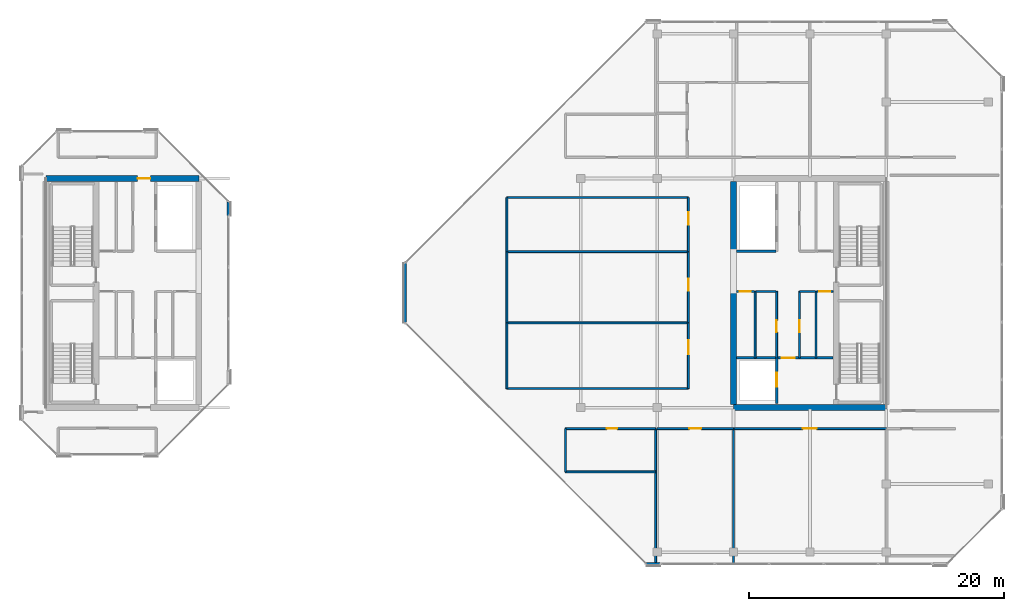
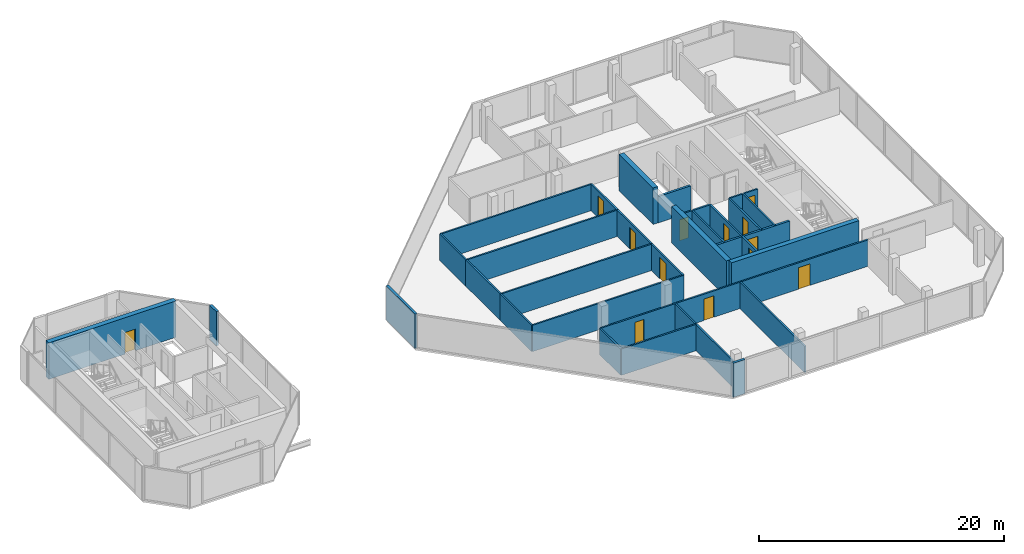
# One storey, part 24 of 30: 35 walls, 13 doors, 13 openings.
"""IFC4 building model written with IfcOpenShell, lengths in metres."""

from ifc_helpers import new_model, si_unit, direction, frame, frame_2d, origin, place, context, subcontext, project, spatial, rectangle, extrude, material, layer, layer_set, type_object, element, fill, save


model = new_model("IFC4")

# Units and contexts
model_context = context("Model", 3, precision=1e-05, world=origin(), true_north=direction((0.0, 1.0)))
body_context = subcontext(model_context, "Body", "Model", "MODEL_VIEW")
ifc_project = project(units=[si_unit("LENGTHUNIT", "METRE"), si_unit("AREAUNIT", "SQUARE_METRE"), si_unit("VOLUMEUNIT", "CUBIC_METRE"), si_unit("PLANEANGLEUNIT", "RADIAN"), si_unit("MASSUNIT", "GRAM", prefix="KILO")], contexts=[model_context])

# Site, building, storey
site_placement = place(None, origin())
site = spatial("IfcSite", under=ifc_project, at=site_placement, CompositionType="ELEMENT")
building_placement = place(site_placement, origin())
building = spatial("IfcBuilding", under=site, at=building_placement, Name="Tanjung Sevakor Pilgrim Tower", CompositionType="ELEMENT")
storey_placement = place(building_placement, frame((0.0, 0.0, 253.43994140625)))
storey = spatial("IfcBuildingStorey", under=building, at=storey_placement, Name="L71", CompositionType="ELEMENT", Elevation=253.43994140625)

# Wall, opening, door
ifc_material_1 = material(Name="Concrete C60/75", Category="concrete")
ifc_layer_1 = layer(ifc_material_1, 0.449951171875)
ifc_layer_set_1 = layer_set([ifc_layer_1], Name="WALL-CW-450")
wall_type_1 = type_object("IfcWallType", Name="WALL-CW-450", PredefinedType="SHEAR", material=ifc_layer_set_1)
wall_1_placement = place(storey_placement, frame((36.0, 42.60009765625, 0.0), z_axis=(0.0, 0.0, 1.0), x_axis=(-1.0, 0.0, 0.0)))
wall_1 = element("IfcWall", 1, at=wall_1_placement, inside=storey, type_object=wall_type_1, Name="L71 W Core North Shear Wall", PredefinedType="SHEAR", context=body_context, shape_type="SweptSolid", body=[
    extrude(rectangle(XDim=12.0, YDim=0.449951171875, at=frame_2d((6.0, 0.0))), origin(), (0.0, 0.0, 1.0), 3.630126953125),
])
opening_1_placement = place(wall_1_placement, frame((3.800048828125, 0.0, 0.0)))
opening_1 = element("IfcOpeningElement", 2, at=opening_1_placement, cuts=wall_1, Name="Opening ID-FD1", PredefinedType="OPENING", context=body_context, shape_type="SweptSolid", body=[
    extrude(rectangle(XDim=1.0, YDim=2.14990234375, at=frame_2d((0.5, 1.074951171875))), frame((0.0, 0.23486328125, 0.0), z_axis=(0.0, -1.0, 0.0), x_axis=(1.0, 0.0, 0.0)), (0.0, 0.0, 1.0), 0.469970703125),
])
ifc_material_2 = material(Name="Fire-Rated Steel S355J2", Category="steel")
door_type_1 = type_object("IfcDoorType", Name="DT-FIRE-1000", OperationType="NOTDEFINED", PredefinedType="DOOR", material=ifc_material_2)
door_1_placement = place(opening_1_placement, origin())
door_1 = element("IfcDoor", 3, at=door_1_placement, inside=storey, type_object=door_type_1, Name="L71 West Core North Vestibule Fire Door", OperationType="SINGLE_SWING_RIGHT", OverallHeight=2.14990234375, OverallWidth=1.0, PredefinedType="DOOR", context=body_context, shape_type="SweptSolid", body=[
    extrude(rectangle(XDim=1.0, YDim=2.14990234375, at=frame_2d((0.5, 1.074951171875))), frame((0.0, 0.02490234375, 0.0), z_axis=(0.0, -1.0, 0.0), x_axis=(1.0, 0.0, 0.0)), (0.0, 0.0, 1.0), 0.050048828125),
])
fill(opening_1, door_1)

# Walls
wall_2_placement = place(storey_placement, frame((78.0, 24.60009765625, 0.0), z_axis=(0.0, 0.0, 1.0), x_axis=(1.0, 0.0, 0.0)))
element("IfcWall", 4, at=wall_2_placement, inside=storey, type_object=wall_type_1, Name="L71 E Core South Shear Wall", PredefinedType="SHEAR", context=body_context, shape_type="SweptSolid", body=[
    extrude(rectangle(XDim=12.0, YDim=0.449951171875, at=frame_2d((6.0, 0.0))), origin(), (0.0, 0.0, 1.0), 3.630126953125),
])
wall_3_placement = place(storey_placement, frame((78.0, 24.824951171875, 0.0), z_axis=(0.0, 0.0, 1.0), x_axis=(0.0, 1.0, 0.0)))
element("IfcWall", 5, at=wall_3_placement, inside=storey, type_object=wall_type_1, Name="L71 E Core Inner Shear Wall South", PredefinedType="SHEAR", context=body_context, shape_type="SweptSolid", body=[
    extrude(rectangle(XDim=8.97509765625, YDim=0.449951171875, at=frame_2d((4.487548828125, 0.0))), origin(), (0.0, 0.0, 1.0), 3.630126953125),
])
wall_4_placement = place(storey_placement, frame((78.0, 36.800048828125, 0.0), z_axis=(0.0, 0.0, 1.0), x_axis=(0.0, 1.0, 0.0)))
element("IfcWall", 6, at=wall_4_placement, inside=storey, type_object=wall_type_1, Name="L71 E Core Inner Shear Wall North", PredefinedType="SHEAR", context=body_context, shape_type="SweptSolid", body=[
    extrude(rectangle(XDim=5.574951171875, YDim=0.449951171875, at=frame_2d((2.78759765625, 0.0))), origin(), (0.0, 0.0, 1.0), 3.630126953125),
])
ifc_material_3 = material(Name="Concrete C40/50", Category="concrete")
ifc_layer_2 = layer(ifc_material_3, 0.14990234375)
ifc_layer_set_2 = layer_set([ifc_layer_2], Name="WT-COMP-150")
wall_type_2 = type_object("IfcWallType", Name="WT-COMP-150", PredefinedType="SOLIDWALL", material=ifc_layer_set_2)
wall_5_placement = place(storey_placement, frame((84.47998046875, 28.5, 0.0), z_axis=(0.0, 0.0, 1.0), x_axis=(0.0, 1.0, 0.0)))
element("IfcWall", 7, at=wall_5_placement, inside=storey, type_object=wall_type_2, Name="L71 Partition IW-L71-019", PredefinedType="SOLIDWALL", context=body_context, shape_type="SweptSolid", body=[
    extrude(rectangle(XDim=5.219970703125, YDim=0.14990234375, at=frame_2d((2.60986328125, 0.0))), origin(), (0.0, 0.0, 1.0), 2.6298828125),
])

# Wall, opening, door
wall_6_placement = place(storey_placement, frame((84.550048828125, 33.719970703125, 0.0), z_axis=(0.0, 0.0, 1.0), x_axis=(1.0, 0.0, 0.0)))
wall_6 = element("IfcWall", 8, at=wall_6_placement, inside=storey, type_object=wall_type_2, Name="L71 Partition IW-L71-020", PredefinedType="SOLIDWALL", context=body_context, shape_type="SweptSolid", body=[
    extrude(rectangle(XDim=1.280029296875, YDim=0.14990234375, at=frame_2d((0.64013671875, 0.0))), origin(), (0.0, 0.0, 1.0), 2.6298828125),
])
opening_2_placement = place(wall_6_placement, frame((0.179931640625, 0.0, 0.0)))
opening_2 = element("IfcOpeningElement", 9, at=opening_2_placement, cuts=wall_6, Name="Opening ID-FD3", PredefinedType="OPENING", context=body_context, shape_type="SweptSolid", body=[
    extrude(rectangle(XDim=0.85009765625, YDim=2.10009765625, at=frame_2d((0.425048828125, 1.050048828125))), frame((0.0, 0.0849609375, 0.0), z_axis=(0.0, -1.0, 0.0), x_axis=(1.0, 0.0, 0.0)), (0.0, 0.0, 1.0), 0.169921875),
])
ifc_material_4 = material(Name="Fire-Rated Timber", Category="wood")
door_type_2 = type_object("IfcDoorType", Name="DT-FIRE-850", OperationType="NOTDEFINED", PredefinedType="DOOR", material=ifc_material_4)
door_2_placement = place(opening_2_placement, origin())
door_2 = element("IfcDoor", 10, at=door_2_placement, inside=storey, type_object=door_type_2, Name="L71 Cleaner Store Door", OperationType="SINGLE_SWING_LEFT", OverallHeight=2.10009765625, OverallWidth=0.85009765625, PredefinedType="DOOR", context=body_context, shape_type="SweptSolid", body=[
    extrude(rectangle(XDim=0.85009765625, YDim=2.10009765625, at=frame_2d((0.425048828125, 1.050048828125))), frame((0.0, 0.02490234375, 0.0), z_axis=(0.0, -1.0, 0.0), x_axis=(1.0, 0.0, 0.0)), (0.0, 0.0, 1.0), 0.050048828125),
])
fill(opening_2, door_2)

# Wall
wall_7_placement = place(storey_placement, frame((83.199951171875, 33.719970703125, 0.0), z_axis=(0.0, 0.0, 1.0), x_axis=(1.0, 0.0, 0.0)))
element("IfcWall", 11, at=wall_7_placement, inside=storey, type_object=wall_type_2, Name="L71 Partition IW-L71-021", PredefinedType="SOLIDWALL", context=body_context, shape_type="SweptSolid", body=[
    extrude(rectangle(XDim=1.219970703125, YDim=0.14990234375, at=frame_2d((0.60986328125, 0.0))), origin(), (0.0, 0.0, 1.0), 2.6298828125),
])

# Wall, opening, door
wall_8_placement = place(storey_placement, frame((83.179931640625, 28.5, 0.0), z_axis=(0.0, 0.0, 1.0), x_axis=(0.0, 1.0, 0.0)))
wall_8 = element("IfcWall", 12, at=wall_8_placement, inside=storey, type_object=wall_type_2, Name="L71 Partition IW-L71-022", PredefinedType="SOLIDWALL", context=body_context, shape_type="SweptSolid", body=[
    extrude(rectangle(XDim=5.219970703125, YDim=0.14990234375, at=frame_2d((2.60986328125, 0.0))), origin(), (0.0, 0.0, 1.0), 2.6298828125),
])
opening_3_placement = place(wall_8_placement, frame((2.0, 0.0, 0.0)))
opening_3 = element("IfcOpeningElement", 13, at=opening_3_placement, cuts=wall_8, Name="Opening ID-FD2", PredefinedType="OPENING", context=body_context, shape_type="SweptSolid", body=[
    extrude(rectangle(XDim=0.949951171875, YDim=2.14990234375, at=frame_2d((0.47509765625, 1.074951171875))), frame((0.0, 0.0849609375, 0.0), z_axis=(0.0, -1.0, 0.0), x_axis=(1.0, 0.0, 0.0)), (0.0, 0.0, 1.0), 0.169921875),
])
ifc_material_5 = material(Name="Fire-Rated Timber", Category="wood")
door_type_3 = type_object("IfcDoorType", Name="DT-FIRE-950", OperationType="NOTDEFINED", PredefinedType="DOOR", material=ifc_material_5)
door_3_placement = place(opening_3_placement, origin())
door_3 = element("IfcDoor", 14, at=door_3_placement, inside=storey, type_object=door_type_3, Name="L71 Housekeeping Pantry Door", OperationType="SINGLE_SWING_RIGHT", OverallHeight=2.14990234375, OverallWidth=0.949951171875, PredefinedType="DOOR", context=body_context, shape_type="SweptSolid", body=[
    extrude(rectangle(XDim=0.949951171875, YDim=2.14990234375, at=frame_2d((0.47509765625, 1.074951171875))), frame((0.0, 0.02490234375, 0.0), z_axis=(0.0, -1.0, 0.0), x_axis=(1.0, 0.0, 0.0)), (0.0, 0.0, 1.0), 0.050048828125),
])
fill(opening_3, door_3)

# Walls
wall_9_placement = place(storey_placement, frame((79.699951171875, 28.5, 0.0), z_axis=(0.0, 0.0, 1.0), x_axis=(0.0, 1.0, 0.0)))
element("IfcWall", 15, at=wall_9_placement, inside=storey, type_object=wall_type_2, Name="L71 Partition IW-L71-023", PredefinedType="SOLIDWALL", context=body_context, shape_type="SweptSolid", body=[
    extrude(rectangle(XDim=5.219970703125, YDim=0.14990234375, at=frame_2d((2.60986328125, 0.0))), origin(), (0.0, 0.0, 1.0), 2.6298828125),
])
wall_10_placement = place(storey_placement, frame((79.760009765625, 33.719970703125, 0.0), z_axis=(0.0, 0.0, 1.0), x_axis=(1.0, 0.0, 0.0)))
element("IfcWall", 16, at=wall_10_placement, inside=storey, type_object=wall_type_2, Name="L71 Partition IW-L71-024", PredefinedType="SOLIDWALL", context=body_context, shape_type="SweptSolid", body=[
    extrude(rectangle(XDim=1.56005859375, YDim=0.14990234375, at=frame_2d((0.780029296875, 0.0))), origin(), (0.0, 0.0, 1.0), 2.6298828125),
])

# Wall, opening, door
wall_11_placement = place(storey_placement, frame((78.2451171875, 33.719970703125, 0.0), z_axis=(0.0, 0.0, 1.0), x_axis=(1.0, 0.0, 0.0)))
wall_11 = element("IfcWall", 17, at=wall_11_placement, inside=storey, type_object=wall_type_2, Name="L71 Partition IW-L71-025", PredefinedType="SOLIDWALL", context=body_context, shape_type="SweptSolid", body=[
    extrude(rectangle(XDim=1.394775390625, YDim=0.14990234375, at=frame_2d((0.697265625, 0.0))), origin(), (0.0, 0.0, 1.0), 2.6298828125),
])
opening_4_placement = place(wall_11_placement, frame((0.239990234375, 0.0, 0.0)))
opening_4 = element("IfcOpeningElement", 18, at=opening_4_placement, cuts=wall_11, Name="Opening ID-FD3", PredefinedType="OPENING", context=body_context, shape_type="SweptSolid", body=[
    extrude(rectangle(XDim=0.85009765625, YDim=2.10009765625, at=frame_2d((0.425048828125, 1.050048828125))), frame((0.0, 0.0849609375, 0.0), z_axis=(0.0, -1.0, 0.0), x_axis=(1.0, 0.0, 0.0)), (0.0, 0.0, 1.0), 0.169921875),
])
door_4_placement = place(opening_4_placement, origin())
door_4 = element("IfcDoor", 19, at=door_4_placement, inside=storey, type_object=door_type_2, Name="L71 Service Store Door", OperationType="SINGLE_SWING_LEFT", OverallHeight=2.10009765625, OverallWidth=0.85009765625, PredefinedType="DOOR", context=body_context, shape_type="SweptSolid", body=[
    extrude(rectangle(XDim=0.85009765625, YDim=2.10009765625, at=frame_2d((0.425048828125, 1.050048828125))), frame((0.0, 0.02490234375, 0.0), z_axis=(0.0, -1.0, 0.0), x_axis=(1.0, 0.0, 0.0)), (0.0, 0.0, 1.0), 0.050048828125),
])
fill(opening_4, door_4)

wall_12_placement = place(storey_placement, frame((81.3798828125, 28.5, 0.0), z_axis=(0.0, 0.0, 1.0), x_axis=(0.0, 1.0, 0.0)))
wall_12 = element("IfcWall", 20, at=wall_12_placement, inside=storey, type_object=wall_type_2, Name="L71 Partition IW-L71-026", PredefinedType="SOLIDWALL", context=body_context, shape_type="SweptSolid", body=[
    extrude(rectangle(XDim=5.219970703125, YDim=0.14990234375, at=frame_2d((2.60986328125, 0.0))), origin(), (0.0, 0.0, 1.0), 2.6298828125),
])
opening_5_placement = place(wall_12_placement, frame((2.0, 0.0, 0.0)))
opening_5 = element("IfcOpeningElement", 21, at=opening_5_placement, cuts=wall_12, Name="Opening ID-FD2", PredefinedType="OPENING", context=body_context, shape_type="SweptSolid", body=[
    extrude(rectangle(XDim=0.949951171875, YDim=2.14990234375, at=frame_2d((0.47509765625, 1.074951171875))), frame((0.0, 0.0849609375, 0.0), z_axis=(0.0, -1.0, 0.0), x_axis=(1.0, 0.0, 0.0)), (0.0, 0.0, 1.0), 0.169921875),
])
door_5_placement = place(opening_5_placement, origin())
door_5 = element("IfcDoor", 22, at=door_5_placement, inside=storey, type_object=door_type_3, Name="L71 Accessible WC Door", OperationType="SINGLE_SWING_RIGHT", OverallHeight=2.14990234375, OverallWidth=0.949951171875, PredefinedType="DOOR", context=body_context, shape_type="SweptSolid", body=[
    extrude(rectangle(XDim=0.949951171875, YDim=2.14990234375, at=frame_2d((0.47509765625, 1.074951171875))), frame((0.0, 0.02490234375, 0.0), z_axis=(0.0, -1.0, 0.0), x_axis=(1.0, 0.0, 0.0)), (0.0, 0.0, 1.0), 0.050048828125),
])
fill(opening_5, door_5)

# Wall
wall_13_placement = place(storey_placement, frame((64.800048828125, 19.550048828125, 0.0), z_axis=(0.0, 0.0, 1.0), x_axis=(1.0, 0.0, 0.0)))
element("IfcWall", 23, at=wall_13_placement, inside=storey, type_object=wall_type_2, Name="L71 Partition IW-L71-041", PredefinedType="SOLIDWALL", context=body_context, shape_type="SweptSolid", body=[
    extrude(rectangle(XDim=7.079833984375, YDim=0.14990234375, at=frame_2d((3.5400390625, 0.0))), origin(), (0.0, 0.0, 1.0), 2.6298828125),
])

# Wall, opening, door
wall_14_placement = place(storey_placement, frame((64.800048828125, 22.949951171875, 0.0), z_axis=(0.0, 0.0, 1.0), x_axis=(1.0, 0.0, 0.0)))
wall_14 = element("IfcWall", 24, at=wall_14_placement, inside=storey, type_object=wall_type_2, Name="L71 Partition IW-L71-042", PredefinedType="SOLIDWALL", context=body_context, shape_type="SweptSolid", body=[
    extrude(rectangle(XDim=7.079833984375, YDim=0.14990234375, at=frame_2d((3.5400390625, 0.0))), origin(), (0.0, 0.0, 1.0), 2.6298828125),
])
opening_6_placement = place(wall_14_placement, frame((3.22509765625, 0.0, 0.0)))
opening_6 = element("IfcOpeningElement", 25, at=opening_6_placement, cuts=wall_14, Name="Opening ID-WC1", PredefinedType="OPENING", context=body_context, shape_type="SweptSolid", body=[
    extrude(rectangle(XDim=0.85009765625, YDim=2.10009765625, at=frame_2d((0.425048828125, 1.050048828125))), frame((0.0, 0.0849609375, 0.0), z_axis=(0.0, -1.0, 0.0), x_axis=(1.0, 0.0, 0.0)), (0.0, 0.0, 1.0), 0.169921875),
])
ifc_material_6 = material(Name="Moisture-Resistant Timber", Category="wood")
door_type_4 = type_object("IfcDoorType", Name="DT-INT-850", OperationType="NOTDEFINED", PredefinedType="DOOR", material=ifc_material_6)
door_6_placement = place(opening_6_placement, origin())
door_6 = element("IfcDoor", 26, at=door_6_placement, inside=storey, type_object=door_type_4, Name="L71 SW Crown Suite Door", OperationType="SINGLE_SWING_RIGHT", OverallHeight=2.10009765625, OverallWidth=0.85009765625, PredefinedType="DOOR", context=body_context, shape_type="SweptSolid", body=[
    extrude(rectangle(XDim=0.85009765625, YDim=2.10009765625, at=frame_2d((0.425048828125, 1.050048828125))), frame((0.0, 0.02490234375, 0.0), z_axis=(0.0, -1.0, 0.0), x_axis=(1.0, 0.0, 0.0)), (0.0, 0.0, 1.0), 0.050048828125),
])
fill(opening_6, door_6)

# Walls
wall_15_placement = place(storey_placement, frame((64.800048828125, 19.550048828125, 0.0), z_axis=(0.0, 0.0, 1.0), x_axis=(0.0, 1.0, 0.0)))
element("IfcWall", 27, at=wall_15_placement, inside=storey, type_object=wall_type_2, Name="L71 Partition IW-L71-043", PredefinedType="SOLIDWALL", context=body_context, shape_type="SweptSolid", body=[
    extrude(rectangle(XDim=3.39990234375, YDim=0.14990234375, at=frame_2d((1.699951171875, 0.0))), origin(), (0.0, 0.0, 1.0), 2.6298828125),
])
for number, where, z_axis, x_axis, name in (
    (28, (71.8798828125, 12.340087890625, 0.0), (0.0, 0.0, 1.0), (0.0, 1.0, 0.0), "L71 Partition IW-L71-044"),
    (29, (78.0, 12.340087890625, 0.0), (0.0, 0.0, 1.0), (0.0, 1.0, 0.0), "L71 Partition IW-L71-057"),
):
    element("IfcWall", number, at=place(storey_placement, frame(where, z_axis=z_axis, x_axis=x_axis)), inside=storey, type_object=wall_type_2, Name=name, PredefinedType="SOLIDWALL", context=body_context, shape_type="SweptSolid", body=[
        extrude(rectangle(XDim=10.60986328125, YDim=0.14990234375, at=frame_2d((5.304931640625, 0.0))), origin(), (0.0, 0.0, 1.0), 2.6298828125),
    ])

# Wall, opening, door
wall_16_placement = place(storey_placement, frame((72.0, 22.949951171875, 0.0), z_axis=(0.0, 0.0, 1.0), x_axis=(1.0, 0.0, 0.0)))
wall_16 = element("IfcWall", 30, at=wall_16_placement, inside=storey, type_object=wall_type_2, Name="L71 Partition IW-L71-058", PredefinedType="SOLIDWALL", context=body_context, shape_type="SweptSolid", body=[
    extrude(rectangle(XDim=6.0, YDim=0.14990234375, at=frame_2d((3.0, 0.0))), origin(), (0.0, 0.0, 1.0), 2.6298828125),
])
opening_7_placement = place(wall_16_placement, frame((2.52490234375, 0.0, 0.0)))
opening_7 = element("IfcOpeningElement", 31, at=opening_7_placement, cuts=wall_16, Name="Opening ID-FD2", PredefinedType="OPENING", context=body_context, shape_type="SweptSolid", body=[
    extrude(rectangle(XDim=0.949951171875, YDim=2.14990234375, at=frame_2d((0.47509765625, 1.074951171875))), frame((0.0, 0.0849609375, 0.0), z_axis=(0.0, -1.0, 0.0), x_axis=(1.0, 0.0, 0.0)), (0.0, 0.0, 1.0), 0.169921875),
])
door_7_placement = place(opening_7_placement, origin())
door_7 = element("IfcDoor", 32, at=door_7_placement, inside=storey, type_object=door_type_3, Name="Housekeeping Pantry Door", OperationType="SINGLE_SWING_LEFT", OverallHeight=2.14990234375, OverallWidth=0.949951171875, PredefinedType="DOOR", context=body_context, shape_type="SweptSolid", body=[
    extrude(rectangle(XDim=0.949951171875, YDim=2.14990234375, at=frame_2d((0.47509765625, 1.074951171875))), frame((0.0, 0.02490234375, 0.0), z_axis=(0.0, -1.0, 0.0), x_axis=(1.0, 0.0, 0.0)), (0.0, 0.0, 1.0), 0.050048828125),
])
fill(opening_7, door_7)

wall_17_placement = place(storey_placement, frame((78.0, 22.949951171875, 0.0), z_axis=(0.0, 0.0, 1.0), x_axis=(1.0, 0.0, 0.0)))
wall_17 = element("IfcWall", 33, at=wall_17_placement, inside=storey, type_object=wall_type_2, Name="L71 Partition IW-L71-059", PredefinedType="SOLIDWALL", context=body_context, shape_type="SweptSolid", body=[
    extrude(rectangle(XDim=12.0, YDim=0.14990234375, at=frame_2d((6.0, 0.0))), origin(), (0.0, 0.0, 1.0), 2.6298828125),
])
opening_8_placement = place(wall_17_placement, frame((5.449951171875, 0.0, 0.0)))
opening_8 = element("IfcOpeningElement", 34, at=opening_8_placement, cuts=wall_17, Name="Opening ID-FD0", PredefinedType="OPENING", context=body_context, shape_type="SweptSolid", body=[
    extrude(rectangle(XDim=1.10009765625, YDim=2.14990234375, at=frame_2d((0.550048828125, 1.074951171875))), frame((0.0, 0.0849609375, 0.0), z_axis=(0.0, -1.0, 0.0), x_axis=(1.0, 0.0, 0.0)), (0.0, 0.0, 1.0), 0.169921875),
])
ifc_material_7 = material(Name="Fire-Rated Steel S355J2", Category="steel")
door_type_5 = type_object("IfcDoorType", Name="DT-FIRE-1100", OperationType="NOTDEFINED", PredefinedType="DOOR", material=ifc_material_7)
door_8_placement = place(opening_8_placement, origin())
door_8 = element("IfcDoor", 35, at=door_8_placement, inside=storey, type_object=door_type_5, Name="Communal Lounge Door", OperationType="SINGLE_SWING_RIGHT", OverallHeight=2.14990234375, OverallWidth=1.10009765625, PredefinedType="DOOR", context=body_context, shape_type="SweptSolid", body=[
    extrude(rectangle(XDim=1.10009765625, YDim=2.14990234375, at=frame_2d((0.550048828125, 1.074951171875))), frame((0.0, 0.02490234375, 0.0), z_axis=(0.0, -1.0, 0.0), x_axis=(1.0, 0.0, 0.0)), (0.0, 0.0, 1.0), 0.050048828125),
])
fill(opening_8, door_8)

# Walls
for number, where, z_axis, x_axis, name in (
    (36, (60.199951171875, 26.10009765625, 0.0), (0.0, 0.0, 1.0), (1.0, 0.0, 0.0), "L71 Partition IW-L71-067"),
    (37, (60.199951171875, 31.25, 0.0), (0.0, 0.0, 1.0), (1.0, 0.0, 0.0), "L71 Partition IW-L71-068"),
):
    element("IfcWall", number, at=place(storey_placement, frame(where, z_axis=z_axis, x_axis=x_axis)), inside=storey, type_object=wall_type_2, Name=name, PredefinedType="SOLIDWALL", context=body_context, shape_type="SweptSolid", body=[
        extrude(rectangle(XDim=14.25, YDim=0.14990234375, at=frame_2d((7.125, 0.0))), origin(), (0.0, 0.0, 1.0), 2.6298828125),
    ])
wall_18_placement = place(storey_placement, frame((60.199951171875, 26.10009765625, 0.0), z_axis=(0.0, 0.0, 1.0), x_axis=(0.0, 1.0, 0.0)))
element("IfcWall", 38, at=wall_18_placement, inside=storey, type_object=wall_type_2, Name="L71 Partition IW-L71-069", PredefinedType="SOLIDWALL", context=body_context, shape_type="SweptSolid", body=[
    extrude(rectangle(XDim=5.14990234375, YDim=0.14990234375, at=frame_2d((2.574951171875, 0.0))), origin(), (0.0, 0.0, 1.0), 2.6298828125),
])

# Wall, opening, door
wall_19_placement = place(storey_placement, frame((74.449951171875, 26.10009765625, 0.0), z_axis=(0.0, 0.0, 1.0), x_axis=(0.0, 1.0, 0.0)))
wall_19 = element("IfcWall", 39, at=wall_19_placement, inside=storey, type_object=wall_type_2, Name="L71 Partition IW-L71-070", PredefinedType="SOLIDWALL", context=body_context, shape_type="SweptSolid", body=[
    extrude(rectangle(XDim=5.14990234375, YDim=0.14990234375, at=frame_2d((2.574951171875, 0.0))), origin(), (0.0, 0.0, 1.0), 2.6298828125),
])
opening_9_placement = place(wall_19_placement, frame((2.699951171875, 0.0, 0.0)))
opening_9 = element("IfcOpeningElement", 40, at=opening_9_placement, cuts=wall_19, Name="Opening ID-RM2", PredefinedType="OPENING", context=body_context, shape_type="SweptSolid", body=[
    extrude(rectangle(XDim=1.10009765625, YDim=2.14990234375, at=frame_2d((0.550048828125, 1.074951171875))), frame((0.0, 0.0849609375, 0.0), z_axis=(0.0, -1.0, 0.0), x_axis=(1.0, 0.0, 0.0)), (0.0, 0.0, 1.0), 0.169921875),
])
ifc_material_8 = material(Name="Hardwood Timber", Category="wood")
door_type_6 = type_object("IfcDoorType", Name="DT-INT-1100", OperationType="NOTDEFINED", PredefinedType="DOOR", material=ifc_material_8)
door_9_placement = place(opening_9_placement, origin())
door_9 = element("IfcDoor", 41, at=door_9_placement, inside=storey, type_object=door_type_6, Name="L71 South Peak Lounge Door", OperationType="SINGLE_SWING_LEFT", OverallHeight=2.14990234375, OverallWidth=1.10009765625, PredefinedType="DOOR", context=body_context, shape_type="SweptSolid", body=[
    extrude(rectangle(XDim=1.10009765625, YDim=2.14990234375, at=frame_2d((0.550048828125, 1.074951171875))), frame((0.0, 0.02490234375, 0.0), z_axis=(0.0, -1.0, 0.0), x_axis=(1.0, 0.0, 0.0)), (0.0, 0.0, 1.0), 0.050048828125),
])
fill(opening_9, door_9)

# Walls
wall_20_placement = place(storey_placement, frame((60.199951171875, 36.85009765625, 0.0), z_axis=(0.0, 0.0, 1.0), x_axis=(1.0, 0.0, 0.0)))
element("IfcWall", 42, at=wall_20_placement, inside=storey, type_object=wall_type_2, Name="L71 Partition IW-L71-071", PredefinedType="SOLIDWALL", context=body_context, shape_type="SweptSolid", body=[
    extrude(rectangle(XDim=14.25, YDim=0.14990234375, at=frame_2d((7.125, 0.0))), origin(), (0.0, 0.0, 1.0), 2.6298828125),
])
wall_21_placement = place(storey_placement, frame((60.199951171875, 31.25, 0.0), z_axis=(0.0, 0.0, 1.0), x_axis=(0.0, 1.0, 0.0)))
element("IfcWall", 43, at=wall_21_placement, inside=storey, type_object=wall_type_2, Name="L71 Partition IW-L71-072", PredefinedType="SOLIDWALL", context=body_context, shape_type="SweptSolid", body=[
    extrude(rectangle(XDim=5.60009765625, YDim=0.14990234375, at=frame_2d((2.800048828125, 0.0))), origin(), (0.0, 0.0, 1.0), 2.6298828125),
])

# Wall, opening, door
wall_22_placement = place(storey_placement, frame((74.449951171875, 31.25, 0.0), z_axis=(0.0, 0.0, 1.0), x_axis=(0.0, 1.0, 0.0)))
wall_22 = element("IfcWall", 44, at=wall_22_placement, inside=storey, type_object=wall_type_2, Name="L71 Partition IW-L71-073", PredefinedType="SOLIDWALL", context=body_context, shape_type="SweptSolid", body=[
    extrude(rectangle(XDim=5.60009765625, YDim=0.14990234375, at=frame_2d((2.800048828125, 0.0))), origin(), (0.0, 0.0, 1.0), 2.6298828125),
])
opening_10_placement = place(wall_22_placement, frame((2.52490234375, 0.0, 0.0)))
opening_10 = element("IfcOpeningElement", 45, at=opening_10_placement, cuts=wall_22, Name="Opening ID-RM1", PredefinedType="OPENING", context=body_context, shape_type="SweptSolid", body=[
    extrude(rectangle(XDim=0.949951171875, YDim=2.14990234375, at=frame_2d((0.47509765625, 1.074951171875))), frame((0.0, 0.0849609375, 0.0), z_axis=(0.0, -1.0, 0.0), x_axis=(1.0, 0.0, 0.0)), (0.0, 0.0, 1.0), 0.169921875),
])
ifc_material_9 = material(Name="Hardwood Timber", Category="wood")
door_type_7 = type_object("IfcDoorType", Name="DT-INT-950", OperationType="NOTDEFINED", PredefinedType="DOOR", material=ifc_material_9)
door_10_placement = place(opening_10_placement, origin())
door_10 = element("IfcDoor", 46, at=door_10_placement, inside=storey, type_object=door_type_7, Name="L71 Mid Peak Study Door", OperationType="SINGLE_SWING_RIGHT", OverallHeight=2.14990234375, OverallWidth=0.949951171875, PredefinedType="DOOR", context=body_context, shape_type="SweptSolid", body=[
    extrude(rectangle(XDim=0.949951171875, YDim=2.14990234375, at=frame_2d((0.47509765625, 1.074951171875))), frame((0.0, 0.02490234375, 0.0), z_axis=(0.0, -1.0, 0.0), x_axis=(1.0, 0.0, 0.0)), (0.0, 0.0, 1.0), 0.050048828125),
])
fill(opening_10, door_10)

# Walls
wall_23_placement = place(storey_placement, frame((60.199951171875, 41.10009765625, 0.0), z_axis=(0.0, 0.0, 1.0), x_axis=(1.0, 0.0, 0.0)))
element("IfcWall", 47, at=wall_23_placement, inside=storey, type_object=wall_type_2, Name="L71 Partition IW-L71-074", PredefinedType="SOLIDWALL", context=body_context, shape_type="SweptSolid", body=[
    extrude(rectangle(XDim=14.25, YDim=0.14990234375, at=frame_2d((7.125, 0.0))), origin(), (0.0, 0.0, 1.0), 2.6298828125),
])
wall_24_placement = place(storey_placement, frame((60.199951171875, 36.85009765625, 0.0), z_axis=(0.0, 0.0, 1.0), x_axis=(0.0, 1.0, 0.0)))
element("IfcWall", 48, at=wall_24_placement, inside=storey, type_object=wall_type_2, Name="L71 Partition IW-L71-075", PredefinedType="SOLIDWALL", context=body_context, shape_type="SweptSolid", body=[
    extrude(rectangle(XDim=4.25, YDim=0.14990234375, at=frame_2d((2.125, 0.0))), origin(), (0.0, 0.0, 1.0), 2.6298828125),
])

# Wall, opening, door
wall_25_placement = place(storey_placement, frame((74.449951171875, 36.85009765625, 0.0), z_axis=(0.0, 0.0, 1.0), x_axis=(0.0, 1.0, 0.0)))
wall_25 = element("IfcWall", 49, at=wall_25_placement, inside=storey, type_object=wall_type_2, Name="L71 Partition IW-L71-076", PredefinedType="SOLIDWALL", context=body_context, shape_type="SweptSolid", body=[
    extrude(rectangle(XDim=4.25, YDim=0.14990234375, at=frame_2d((2.125, 0.0))), origin(), (0.0, 0.0, 1.0), 2.6298828125),
])
opening_11_placement = place(wall_25_placement, frame((2.125, 0.0, 0.0)))
opening_11 = element("IfcOpeningElement", 50, at=opening_11_placement, cuts=wall_25, Name="Opening ID-RM1", PredefinedType="OPENING", context=body_context, shape_type="SweptSolid", body=[
    extrude(rectangle(XDim=0.949951171875, YDim=2.14990234375, at=frame_2d((0.47509765625, 1.074951171875))), frame((0.0, 0.0849609375, 0.0), z_axis=(0.0, -1.0, 0.0), x_axis=(1.0, 0.0, 0.0)), (0.0, 0.0, 1.0), 0.169921875),
])
door_11_placement = place(opening_11_placement, origin())
door_11 = element("IfcDoor", 51, at=door_11_placement, inside=storey, type_object=door_type_7, Name="L71 North Peak Council Door", OperationType="SINGLE_SWING_LEFT", OverallHeight=2.14990234375, OverallWidth=0.949951171875, PredefinedType="DOOR", context=body_context, shape_type="SweptSolid", body=[
    extrude(rectangle(XDim=0.949951171875, YDim=2.14990234375, at=frame_2d((0.47509765625, 1.074951171875))), frame((0.0, 0.02490234375, 0.0), z_axis=(0.0, -1.0, 0.0), x_axis=(1.0, 0.0, 0.0)), (0.0, 0.0, 1.0), 0.050048828125),
])
fill(opening_11, door_11)

# Walls
ifc_material_10 = material(Name="Precast concrete C45/55", Category="concrete")
ifc_layer_3 = layer(ifc_material_10, 0.219970703125)
ifc_layer_set_3 = layer_set([ifc_layer_3], Name="WT-EW-STN4")
wall_type_3 = type_object("IfcWallType", Name="WT-EW-STN4", PredefinedType="SOLIDWALL", material=ifc_layer_set_3)
for number, where, z_axis, x_axis, name in (
    (52, (38.340087890625, 39.654296875, 0.0), (0.0, 0.0, 1.0), (0.0, 1.0, 0.0), "L71 WEST Crown Pier 2-1B"),
    (53, (71.1455078125, 12.31005859375, 0.0), (0.0, 0.0, 1.0), (1.0, 0.0, 0.0), "L71 EAST Crown Pier 0-1A"),
):
    element("IfcWall", number, at=place(storey_placement, frame(where, z_axis=z_axis, x_axis=x_axis)), inside=storey, type_object=wall_type_3, Name=name, PredefinedType="SOLIDWALL", context=body_context, shape_type="SweptSolid", body=[
        extrude(rectangle(XDim=1.10009765625, YDim=0.219970703125, at=frame_2d((0.550048828125, 0.0))), origin(), (0.0, 0.0, 1.0), 3.409912109375),
    ])
wall_26_placement = place(storey_placement, frame((52.2099609375, 35.954345703125, 0.0), z_axis=(0.0, 0.0, 1.0), x_axis=(0.0, -1.0, 0.0)))
element("IfcWall", 54, at=wall_26_placement, inside=storey, type_object=wall_type_3, Name="L71 EAST Exterior Wall 7", PredefinedType="SOLIDWALL", context=body_context, shape_type="SweptSolid", body=[
    extrude(rectangle(XDim=4.708740234375, YDim=0.219970703125, at=frame_2d((2.3544921875, 0.0))), origin(), (0.0, 0.0, 1.0), 3.409912109375),
])

# Wall, opening, door
ifc_material_11 = material(Name="Concrete C40/50", Category="concrete")
ifc_layer_4 = layer(ifc_material_11, 0.199951171875)
ifc_layer_set_4 = layer_set([ifc_layer_4], Name="WT-FPRT-200")
wall_type_4 = type_object("IfcWallType", Name="WT-FPRT-200", PredefinedType="SOLIDWALL", material=ifc_layer_set_4)
wall_27_placement = place(storey_placement, frame((81.39990234375, 24.919921875, 0.0), z_axis=(0.0, 0.0, 1.0), x_axis=(0.0, 1.0, 0.0)))
wall_27 = element("IfcWall", 55, at=wall_27_placement, inside=storey, type_object=wall_type_4, Name="L71 Partition IW-L71-017", PredefinedType="SOLIDWALL", context=body_context, shape_type="SweptSolid", body=[
    extrude(rectangle(XDim=3.580078125, YDim=0.199951171875, at=frame_2d((1.7900390625, 0.0))), origin(), (0.0, 0.0, 1.0), 2.6298828125),
])
opening_12_placement = place(wall_27_placement, frame((1.300048828125, 0.0, 0.0)))
opening_12 = element("IfcOpeningElement", 56, at=opening_12_placement, cuts=wall_27, Name="Opening LD-1100", PredefinedType="OPENING", context=body_context, shape_type="SweptSolid", body=[
    extrude(rectangle(XDim=1.10009765625, YDim=2.199951171875, at=frame_2d((0.550048828125, 1.10009765625))), frame((0.0, 0.10986328125, 0.0), z_axis=(0.0, -1.0, 0.0), x_axis=(1.0, 0.0, 0.0)), (0.0, 0.0, 1.0), 0.219970703125),
])
ifc_material_12 = material(Name="Brushed Stainless Steel S355J2", Category="steel")
door_type_8 = type_object("IfcDoorType", Name="DT-LIFT-1100", OperationType="SLIDING_TO_LEFT", PredefinedType="DOOR", material=ifc_material_12)
door_12_placement = place(opening_12_placement, origin())
door_12 = element("IfcDoor", 57, at=door_12_placement, inside=storey, type_object=door_type_8, Name="LD-FL-E", OperationType="SLIDING_TO_LEFT", OverallHeight=2.199951171875, OverallWidth=1.10009765625, PredefinedType="DOOR", context=body_context, shape_type="SweptSolid", body=[
    extrude(rectangle(XDim=1.10009765625, YDim=2.199951171875, at=frame_2d((0.550048828125, 1.10009765625))), frame((0.0, 0.02490234375, 0.0), z_axis=(0.0, -1.0, 0.0), x_axis=(1.0, 0.0, 0.0)), (0.0, 0.0, 1.0), 0.050048828125),
])
fill(opening_12, door_12)

wall_28_placement = place(storey_placement, frame((78.2451171875, 28.5, 0.0), z_axis=(0.0, 0.0, 1.0), x_axis=(1.0, 0.0, 0.0)))
wall_28 = element("IfcWall", 58, at=wall_28_placement, inside=storey, type_object=wall_type_4, Name="L71 Partition IW-L71-018", PredefinedType="SOLIDWALL", context=body_context, shape_type="SweptSolid", body=[
    extrude(rectangle(XDim=7.5849609375, YDim=0.199951171875, at=frame_2d((3.79248046875, 0.0))), origin(), (0.0, 0.0, 1.0), 2.6298828125),
])
opening_13_placement = place(wall_28_placement, frame((3.554931640625, 0.0, 0.0)))
opening_13 = element("IfcOpeningElement", 59, at=opening_13_placement, cuts=wall_28, Name="Opening ID-FD1", PredefinedType="OPENING", context=body_context, shape_type="SweptSolid", body=[
    extrude(rectangle(XDim=1.0, YDim=2.14990234375, at=frame_2d((0.5, 1.074951171875))), frame((0.0, 0.10986328125, 0.0), z_axis=(0.0, -1.0, 0.0), x_axis=(1.0, 0.0, 0.0)), (0.0, 0.0, 1.0), 0.219970703125),
])
door_13_placement = place(opening_13_placement, origin())
door_13 = element("IfcDoor", 60, at=door_13_placement, inside=storey, type_object=door_type_1, Name="Fire Lobby Door E", OperationType="SINGLE_SWING_RIGHT", OverallHeight=2.14990234375, OverallWidth=1.0, PredefinedType="DOOR", context=body_context, shape_type="SweptSolid", body=[
    extrude(rectangle(XDim=1.0, YDim=2.14990234375, at=frame_2d((0.5, 1.074951171875))), frame((0.0, 0.02490234375, 0.0), z_axis=(0.0, -1.0, 0.0), x_axis=(1.0, 0.0, 0.0)), (0.0, 0.0, 1.0), 0.050048828125),
])
fill(opening_13, door_13)

# Wall
wall_29_placement = place(storey_placement, frame((78.2451171875, 36.8798828125, 0.0), z_axis=(0.0, 0.0, 1.0), x_axis=(1.0, 0.0, 0.0)))
element("IfcWall", 61, at=wall_29_placement, inside=storey, type_object=wall_type_4, Name="L71 Partition IW-L71-031", PredefinedType="SOLIDWALL", context=body_context, shape_type="SweptSolid", body=[
    extrude(rectangle(XDim=3.074951171875, YDim=0.199951171875, at=frame_2d((1.53759765625, 0.0))), origin(), (0.0, 0.0, 1.0), 2.6298828125),
])

save(model, "model.ifc")
